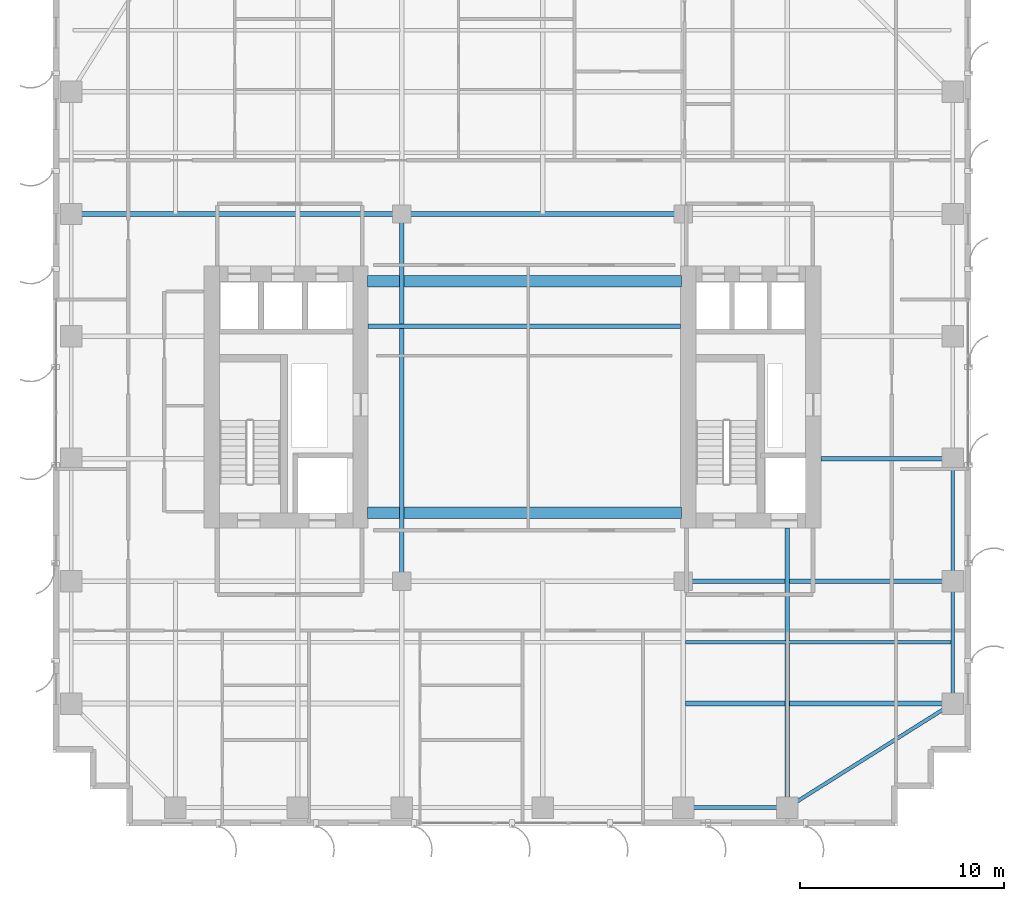
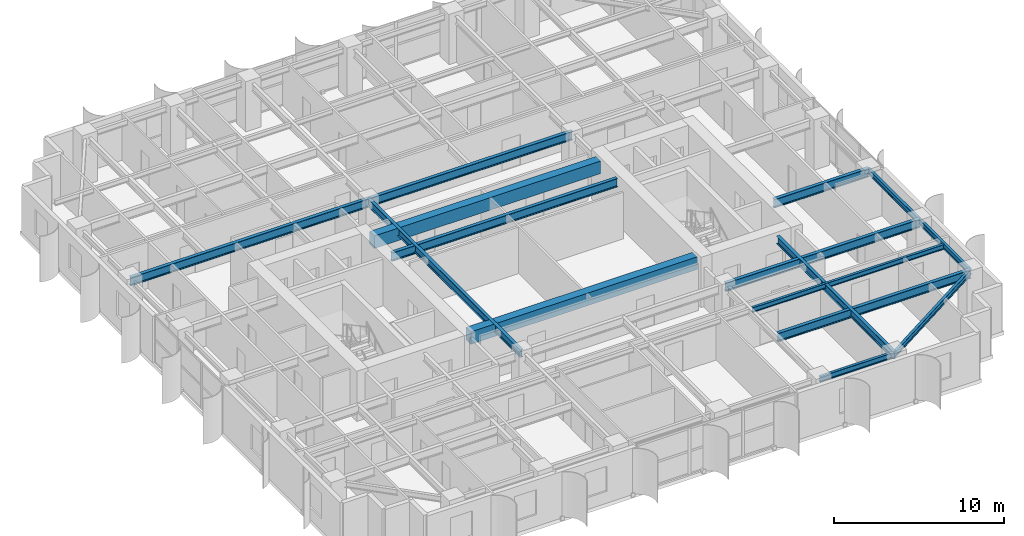
# One storey, part 6 of 21: 15 beams.
"""IFC4 building model written with IfcOpenShell, lengths in metres."""

import ifcopenshell
import ifcopenshell.guid

model = None  # the IFC model being written
_history = None  # IfcOwnerHistory: only IFC2X3 demands one
_inside = {}  # id of a spatial element -> (the spatial element, [elements in it])
_under = {}  # id of a project, library or spatial element -> (it, [spatial elements below it])
_declared = {}  # id of a project -> (the project, [libraries it declares])
_typed = {}  # id of a type object -> (the type object, [elements of that type])
_made_of = {}  # id of a material, layer set ... -> (it, [elements and type objects made of it])


def new_model(schema):
    """Start an empty IFC model of exactly this schema.

    Asked for "IFC4X3", IfcOpenShell would pick the latest addendum, in which some entities
    have other attributes; the version numbers below select the first issue.
    IFC2X3 requires an IfcOwnerHistory on every rooted entity: one is made here for all.
    """
    global model, _history
    if schema == "IFC4X3":
        model = ifcopenshell.file(schema_version=(4, 3, 0, 0))
    else:
        model = ifcopenshell.file(schema=schema)
    _inside.clear()
    _under.clear()
    _declared.clear()
    _typed.clear()
    _made_of.clear()
    _history = None
    if model.schema == "IFC2X3":
        org = make("IfcOrganization", Name="unknown")
        user = make(
            "IfcPersonAndOrganization",
            ThePerson=make("IfcPerson", FamilyName="unknown"),
            TheOrganization=org,
        )
        app = make(
            "IfcApplication",
            ApplicationDeveloper=org,
            Version="unknown",
            ApplicationFullName="unknown",
            ApplicationIdentifier="unknown",
        )
        _history = make(
            "IfcOwnerHistory",
            OwningUser=user,
            OwningApplication=app,
            ChangeAction="ADDED",
            CreationDate=0,
        )
    return model


def make(cls, **values):
    """One entity of the class cls with the attributes given. An attribute that is None is left unset."""
    return model.create_entity(
        cls, **{name: value for name, value in values.items() if value is not None}
    )


def rooted(cls, **values):
    """An entity with a GlobalId (a new one), such as an element, a storey or a relation."""
    return make(cls, GlobalId=ifcopenshell.guid.new(), OwnerHistory=_history, **values)


def si_unit(unit_type, name, prefix=None):
    """IfcSIUnit, for example si_unit("LENGTHUNIT", "METRE", prefix="MILLI")."""
    return make("IfcSIUnit", UnitType=unit_type, Prefix=prefix, Name=name)


def assignment(units):
    """IfcUnitAssignment: the units of a project."""
    return None if units is None else make("IfcUnitAssignment", Units=units)


def point(xyz):
    """IfcCartesianPoint."""
    return None if xyz is None else make("IfcCartesianPoint", Coordinates=xyz)


def direction(xyz):
    """IfcDirection."""
    return None if xyz is None else make("IfcDirection", DirectionRatios=xyz)


def frame(location, z_axis=None, x_axis=None):
    """IfcAxis2Placement3D, a coordinate frame: its origin and axes. An axis left out is left unset."""
    return make(
        "IfcAxis2Placement3D",
        Location=point(location),
        Axis=direction(z_axis),
        RefDirection=direction(x_axis),
    )


def frame_2d(location, x_axis=None):
    """IfcAxis2Placement2D, a coordinate frame in the plane: its origin and x axis."""
    return make(
        "IfcAxis2Placement2D", Location=point(location), RefDirection=direction(x_axis)
    )


def origin():
    """The frame at (0, 0, 0) with its axes left unset."""
    return frame((0.0, 0.0, 0.0))


def origin_2d():
    """The frame at (0, 0) in the plane with its x axis left unset."""
    return frame_2d((0.0, 0.0))


def place(relative_to, where):
    """IfcLocalPlacement: puts the frame where relative to a parent placement (None: the world)."""
    return make(
        "IfcLocalPlacement", PlacementRelTo=relative_to, RelativePlacement=where
    )


def context(
    kind, dimensions, precision=None, world=None, true_north=None, identifier=None
):
    """IfcGeometricRepresentationContext, for example the 3D "Model" context."""
    return make(
        "IfcGeometricRepresentationContext",
        ContextIdentifier=identifier,
        ContextType=kind,
        CoordinateSpaceDimension=dimensions,
        Precision=precision,
        WorldCoordinateSystem=world,
        TrueNorth=true_north,
    )


def subcontext(parent, identifier, kind, view, scale=None):
    """IfcGeometricRepresentationSubContext, for example "Body" below "Model"."""
    return make(
        "IfcGeometricRepresentationSubContext",
        ContextIdentifier=identifier,
        ContextType=kind,
        ParentContext=parent,
        TargetScale=scale,
        TargetView=view,
    )


def project(units=None, contexts=None):
    """IfcProject with its units and contexts."""
    return rooted(
        "IfcProject",
        Name="project",
        RepresentationContexts=contexts,
        UnitsInContext=assignment(units),
    )


def spatial(cls, under=None, at=None, **own):
    """A site, building, storey or space (cls), placed at a placement, below another one or the project."""
    s = rooted(cls, ObjectPlacement=at, **own)
    if under is not None:
        _under.setdefault(under.id(), (under, []))[1].append(s)
    return s


def profile(cls, at=None, kind="AREA", **sizes):
    """A parametric profile (cls). Its sizes go by their IFC names, for example OverallWidth=200.0."""
    return make(cls, ProfileType=kind, Position=at, **sizes)


def rectangle(**sizes):
    """IfcRectangleProfileDef."""
    return profile("IfcRectangleProfileDef", **sizes)


def i_section(**sizes):
    """IfcIShapeProfileDef."""
    return profile("IfcIShapeProfileDef", **sizes)


def extrude(swept, where, along, depth):
    """IfcExtrudedAreaSolid: the profile swept, set in the frame where, extruded along a direction by depth."""
    return make(
        "IfcExtrudedAreaSolid",
        SweptArea=swept,
        Position=where,
        ExtrudedDirection=direction(along),
        Depth=depth,
    )


def shape(context_of_items, identifier, shape_type, items):
    """IfcShapeRepresentation: the items that make up one representation, for example the "Body"."""
    return make(
        "IfcShapeRepresentation",
        ContextOfItems=context_of_items,
        RepresentationIdentifier=identifier,
        RepresentationType=shape_type,
        Items=items,
    )


def source(mapping_origin, context_of_items, identifier, shape_type, items):
    """IfcRepresentationMap: a shape defined once, which mapped items show again and again."""
    return make(
        "IfcRepresentationMap",
        MappingOrigin=mapping_origin,
        MappedRepresentation=shape(context_of_items, identifier, shape_type, items),
    )


def transform(
    local_origin,
    x_axis=None,
    y_axis=None,
    z_axis=None,
    scale=None,
    scale2=None,
    scale3=None,
    uniform=True,
):
    """IfcCartesianTransformationOperator3D, or its non-uniform kind. x_axis, y_axis, z_axis: its Axis1, 2, 3."""
    if uniform:
        return make(
            "IfcCartesianTransformationOperator3D",
            Axis1=direction(x_axis),
            Axis2=direction(y_axis),
            LocalOrigin=point(local_origin),
            Scale=scale,
            Axis3=direction(z_axis),
        )
    return make(
        "IfcCartesianTransformationOperator3DnonUniform",
        Axis1=direction(x_axis),
        Axis2=direction(y_axis),
        LocalOrigin=point(local_origin),
        Scale=scale,
        Axis3=direction(z_axis),
        Scale2=scale2,
        Scale3=scale3,
    )


def mapped(mapping_source, mapping_target):
    """IfcMappedItem: shows the shape of a source again, moved by a transform."""
    return make(
        "IfcMappedItem", MappingSource=mapping_source, MappingTarget=mapping_target
    )


def material(Name=None, Category=None):
    """IfcMaterial."""
    return make("IfcMaterial", Name=Name, Category=Category)


def material_profile(
    of_material, cross_section, Name=None, Category=None, Priority=None
):
    """IfcMaterialProfile: a cross section and its material."""
    return make(
        "IfcMaterialProfile",
        Name=Name,
        Material=of_material,
        Profile=cross_section,
        Priority=Priority,
        Category=Category,
    )


def profile_set(profiles, Name=None, composite=None):
    """IfcMaterialProfileSet."""
    return make(
        "IfcMaterialProfileSet",
        Name=Name,
        MaterialProfiles=profiles,
        CompositeProfile=composite,
    )


def made_of(thing, what):
    """Note that an element or type object is made of a material, layer set ...; save() writes the relation."""
    if what is not None:
        _made_of.setdefault(what.id(), (what, []))[1].append(thing)
    return thing


def type_object(cls, material=None, **own):
    """A type object (cls), such as IfcWallType, which elements share."""
    return made_of(rooted(cls, **own), material)


def element(
    cls,
    number,
    at=None,
    inside=None,
    cuts=None,
    type_object=None,
    material=None,
    context=None,
    identifier="Body",
    shape_type=None,
    held_by="IfcProductDefinitionShape",
    body=None,
    shapes=None,
    **own,
):
    """One element of the class cls, such as IfcWall. Its Tag is "e" and its number.

    at: its placement. inside: the storey or other place that contains it. cuts: it is an
    opening in that element (IfcRelVoidsElement). A single representation is given by context,
    identifier, shape_type and body (its items); several are given by shapes. held_by: the class
    of the entity that holds the representations. save() writes the other relations.
    """
    e = rooted(cls, Tag="e%d" % number, ObjectPlacement=at, **own)
    if body is not None:
        shapes = [shape(context, identifier, shape_type, body)]
    if shapes is not None:
        e.Representation = make(held_by, Representations=shapes)
    if inside is not None:
        _inside.setdefault(inside.id(), (inside, []))[1].append(e)
    if cuts is not None:
        rooted(
            "IfcRelVoidsElement", RelatingBuildingElement=cuts, RelatedOpeningElement=e
        )
    if type_object is not None:
        _typed.setdefault(type_object.id(), (type_object, []))[1].append(e)
    return made_of(e, material)


def aggregate(whole, parts):
    """IfcRelAggregates: a whole, such as a stair, and the parts it consists of."""
    return rooted("IfcRelAggregates", RelatingObject=whole, RelatedObjects=parts)


def save(model, path):
    """Write the relations noted so far, then the file.

    IfcRelAggregates (storeys below a building ...), IfcRelContainedInSpatialStructure (elements
    in a storey), IfcRelDefinesByType, IfcRelAssociatesMaterial and IfcRelDeclares: one each for
    every whole, place, type object, material and project.
    """
    for whole, parts in _under.values():
        aggregate(whole, parts)
    for where, things in _inside.values():
        rooted(
            "IfcRelContainedInSpatialStructure",
            RelatedElements=things,
            RelatingStructure=where,
        )
    for kind, things in _typed.values():
        rooted("IfcRelDefinesByType", RelatedObjects=things, RelatingType=kind)
    for what, things in _made_of.values():
        rooted("IfcRelAssociatesMaterial", RelatedObjects=things, RelatingMaterial=what)
    for by, libraries in _declared.values():
        rooted("IfcRelDeclares", RelatingContext=by, RelatedDefinitions=libraries)
    model.write(path)


model = new_model("IFC4")

# Units and contexts
model_context = context("Model", 3, precision=1e-05, world=origin(), true_north=direction((0.0, 1.0)))
body_context = subcontext(model_context, "Body", "Model", "MODEL_VIEW")
ifc_project = project(units=[si_unit("LENGTHUNIT", "METRE"), si_unit("AREAUNIT", "SQUARE_METRE"), si_unit("VOLUMEUNIT", "CUBIC_METRE"), si_unit("PLANEANGLEUNIT", "RADIAN"), si_unit("MASSUNIT", "GRAM", prefix="KILO")], contexts=[model_context])

# Site, building, storey
site_placement = place(None, origin())
site = spatial("IfcSite", under=ifc_project, at=site_placement, CompositionType="ELEMENT")
building_placement = place(site_placement, origin())
building = spatial("IfcBuilding", under=site, at=building_placement, Name="Khoralis Quay Care Tower", CompositionType="ELEMENT")
storey_placement = place(building_placement, frame((0.0, 0.0, 112.5)))
storey = spatial("IfcBuildingStorey", under=building, at=storey_placement, Name="L29", CompositionType="ELEMENT", Elevation=112.5)

# Beams
ifc_material_1 = material(Name="Concrete C65/80", Category="concrete")
ifc_material_profile_1 = material_profile(ifc_material_1, rectangle(XDim=0.550048828125, YDim=0.89990234375, at=origin_2d()), Name="Concrete C65/80")
ifc_profile_set_1 = profile_set([ifc_material_profile_1], Name="Concrete C65/80")
beam_type_1 = type_object("IfcBeamType", Name="CB-RC550X900", PredefinedType="LINTEL", material=ifc_profile_set_1)
shared_shape_1 = source(origin(), body_context, "Body", "SweptSolid", [
    extrude(rectangle(XDim=0.550048828125, YDim=0.89990234375, at=origin_2d()), origin(), (0.0, 0.0, 1.0), 15.380126953125),
])
for number, where, z_axis, x_axis, name in (
    (1, (15.419921875, 15.35009765625, 2.889892578125), (1.0, 0.0, 0.0), (0.0, 1.0, 0.0), "L29 South Core Coupling Lintel"),
    (2, (15.419921875, 26.699951171875, 2.889892578125), (1.0, 0.0, 0.0), (0.0, 1.0, 0.0), "L29 North Core Coupling Lintel"),
):
    element("IfcBeam", number, at=place(storey_placement, frame(where, z_axis=z_axis, x_axis=x_axis)), inside=storey, type_object=beam_type_1, Name=name, PredefinedType="LINTEL", context=body_context, shape_type="MappedRepresentation", body=[
        mapped(shared_shape_1, transform((0.0, 0.0, 0.0), scale=1.0)),
    ])
ifc_material_2 = material(Name="Steel S355", Category="steel")
ifc_material_profile_2 = material_profile(ifc_material_2, i_section(OverallWidth=0.179931640625, OverallDepth=0.39990234375, WebThickness=0.008544921875, FlangeThickness=0.013427734375, FilletRadius=0.02099609375, at=origin_2d()), Name="Steel S355")
ifc_profile_set_2 = profile_set([ifc_material_profile_2], Name="Steel S355")
beam_type_2 = type_object("IfcBeamType", Name="BM-IPE400", PredefinedType="SPANDREL", material=ifc_profile_set_2)
shared_shape_2 = source(origin(), body_context, "Body", "SweptSolid", [
    extrude(i_section(OverallWidth=0.179931640625, OverallDepth=0.39990234375, WebThickness=0.008544921875, FlangeThickness=0.013427734375, FilletRadius=0.02099609375, at=origin_2d()), origin(), (0.0, 0.0, 1.0), 6.0),
])
for number, where, z_axis, x_axis, name in (
    (3, (44.10009765625, 6.0, 3.139892578125), (0.0, 1.0, 0.0), (-1.0, 0.0, 0.0), "BM-TSP-L29-16"),
    (4, (44.10009765625, 12.0, 3.139892578125), (0.0, 1.0, 0.0), (-1.0, 0.0, 0.0), "BM-TSP-L29-17"),
):
    element("IfcBeam", number, at=place(storey_placement, frame(where, z_axis=z_axis, x_axis=x_axis)), inside=storey, type_object=beam_type_2, Name=name, PredefinedType="SPANDREL", context=body_context, shape_type="MappedRepresentation", body=[
        mapped(shared_shape_2, transform((0.0, 0.0, 0.0), scale=1.0)),
    ])
shared_shape_3 = source(origin(), body_context, "Body", "SweptSolid", [
    extrude(i_section(OverallWidth=0.179931640625, OverallDepth=0.39990234375, WebThickness=0.008544921875, FlangeThickness=0.013427734375, FilletRadius=0.02099609375, at=origin_2d()), origin(), (0.0, 0.0, 1.0), 5.10009765625),
])
beam_1_placement = place(storey_placement, frame((30.89990234375, 0.89990234375, 3.139892578125), z_axis=(1.0, 0.0, 0.0), x_axis=(0.0, 1.0, 0.0)))
element("IfcBeam", 5, at=beam_1_placement, inside=storey, type_object=beam_type_2, Name="BM-TSP-L29-05", PredefinedType="SPANDREL", context=body_context, shape_type="MappedRepresentation", body=[
    mapped(shared_shape_3, transform((0.0, 0.0, 0.0), scale=1.0)),
])
shared_shape_4 = source(origin(), body_context, "Body", "SweptSolid", [
    extrude(i_section(OverallWidth=0.179931640625, OverallDepth=0.39990234375, WebThickness=0.008544921875, FlangeThickness=0.013427734375, FilletRadius=0.02099609375, at=origin_2d()), origin(), (0.0, 0.0, 1.0), 9.572021484375),
])
beam_2_placement = place(storey_placement, frame((36.0, 0.89990234375, 3.139892578125), z_axis=(0.846231136359, 0.532815975602, 0.0), x_axis=(-0.532815975602, 0.846231136359, 0.0)))
element("IfcBeam", 6, at=beam_2_placement, inside=storey, type_object=beam_type_2, Name="BM-TCR-L29-22", PredefinedType="SPANDREL", context=body_context, shape_type="MappedRepresentation", body=[
    mapped(shared_shape_4, transform((0.0, 0.0, 0.0), scale=1.0)),
])
ifc_material_profile_3 = material_profile(ifc_material_2, i_section(OverallWidth=0.22998046875, OverallDepth=0.616943359375, WebThickness=0.01318359375, FlangeThickness=0.022216796875, FilletRadius=0.01806640625, at=origin_2d()), Name="Steel S355")
ifc_profile_set_3 = profile_set([ifc_material_profile_3], Name="Steel S355")
beam_type_3 = type_object("IfcBeamType", Name="BM-W610X140", PredefinedType="BEAM", material=ifc_profile_set_3)
shared_shape_5 = source(origin(), body_context, "Body", "SweptSolid", [
    extrude(i_section(OverallWidth=0.22998046875, OverallDepth=0.616943359375, WebThickness=0.01318359375, FlangeThickness=0.022216796875, FilletRadius=0.01806640625, at=origin_2d()), origin(), (0.0, 0.0, 1.0), 16.2001953125),
])
beam_3_placement = place(storey_placement, frame((0.89990234375, 30.0, 3.031494140625), z_axis=(1.0, 0.0, 0.0), x_axis=(0.0, 1.0, 0.0)))
element("IfcBeam", 7, at=beam_3_placement, inside=storey, type_object=beam_type_3, Name="BM-TGXW-L29-300", PredefinedType="BEAM", context=body_context, shape_type="MappedRepresentation", body=[
    mapped(shared_shape_5, transform((0.0, 0.0, 0.0), scale=1.0)),
])
shared_shape_6 = source(origin(), body_context, "Body", "SweptSolid", [
    extrude(i_section(OverallWidth=0.22998046875, OverallDepth=0.616943359375, WebThickness=0.01318359375, FlangeThickness=0.022216796875, FilletRadius=0.01806640625, at=origin_2d()), origin(), (0.0, 0.0, 1.0), 13.106201171875),
])
beam_4_placement = place(storey_placement, frame((30.993896484375, 6.0, 3.031494140625), z_axis=(1.0, 0.0, 0.0), x_axis=(0.0, 1.0, 0.0)))
element("IfcBeam", 8, at=beam_4_placement, inside=storey, type_object=beam_type_3, Name="BM-TGXE-L29-60", PredefinedType="BEAM", context=body_context, shape_type="MappedRepresentation", body=[
    mapped(shared_shape_6, transform((0.0, 0.0, 0.0), scale=1.0)),
])
shared_shape_7 = source(origin(), body_context, "Body", "SweptSolid", [
    extrude(i_section(OverallWidth=0.22998046875, OverallDepth=0.616943359375, WebThickness=0.01318359375, FlangeThickness=0.022216796875, FilletRadius=0.01806640625, at=origin_2d()), origin(), (0.0, 0.0, 1.0), 13.2001953125),
])
beam_5_placement = place(storey_placement, frame((30.89990234375, 12.0, 3.031494140625), z_axis=(1.0, 0.0, 0.0), x_axis=(0.0, 1.0, 0.0)))
element("IfcBeam", 9, at=beam_5_placement, inside=storey, type_object=beam_type_3, Name="BM-TGXE-L29-120", PredefinedType="BEAM", context=body_context, shape_type="MappedRepresentation", body=[
    mapped(shared_shape_7, transform((0.0, 0.0, 0.0), scale=1.0)),
])
shared_shape_8 = source(origin(), body_context, "Body", "SweptSolid", [
    extrude(i_section(OverallWidth=0.22998046875, OverallDepth=0.616943359375, WebThickness=0.01318359375, FlangeThickness=0.022216796875, FilletRadius=0.01806640625, at=origin_2d()), origin(), (0.0, 0.0, 1.0), 6.4521484375),
])
beam_6_placement = place(storey_placement, frame((37.64794921875, 18.0, 3.031494140625), z_axis=(1.0, 0.0, 0.0), x_axis=(0.0, 1.0, 0.0)))
element("IfcBeam", 10, at=beam_6_placement, inside=storey, type_object=beam_type_3, Name="BM-TGXE-L29-180", PredefinedType="BEAM", context=body_context, shape_type="MappedRepresentation", body=[
    mapped(shared_shape_8, transform((0.0, 0.0, 0.0), scale=1.0)),
])
shared_shape_9 = source(origin(), body_context, "Body", "SweptSolid", [
    extrude(i_section(OverallWidth=0.22998046875, OverallDepth=0.616943359375, WebThickness=0.01318359375, FlangeThickness=0.022216796875, FilletRadius=0.01806640625, at=origin_2d()), origin(), (0.0, 0.0, 1.0), 13.7998046875),
])
beam_7_placement = place(storey_placement, frame((17.10009765625, 30.0, 3.031494140625), z_axis=(1.0, 0.0, 0.0), x_axis=(0.0, 1.0, 0.0)))
element("IfcBeam", 11, at=beam_7_placement, inside=storey, type_object=beam_type_3, Name="BM-TGCC-L29-300", PredefinedType="BEAM", context=body_context, shape_type="MappedRepresentation", body=[
    mapped(shared_shape_9, transform((0.0, 0.0, 0.0), scale=1.0)),
])
shared_shape_10 = source(origin(), body_context, "Body", "SweptSolid", [
    extrude(i_section(OverallWidth=0.22998046875, OverallDepth=0.616943359375, WebThickness=0.01318359375, FlangeThickness=0.022216796875, FilletRadius=0.01806640625, at=origin_2d()), origin(), (0.0, 0.0, 1.0), 15.323974609375),
])
beam_8_placement = place(storey_placement, frame((15.447998046875, 24.5, 3.031494140625), z_axis=(1.0, 0.0, 0.0), x_axis=(0.0, 1.0, 0.0)))
element("IfcBeam", 12, at=beam_8_placement, inside=storey, type_object=beam_type_3, Name="BM-TGCC-L29-245", PredefinedType="BEAM", context=body_context, shape_type="MappedRepresentation", body=[
    mapped(shared_shape_10, transform((0.0, 0.0, 0.0), scale=1.0)),
])
ifc_material_profile_4 = material_profile(ifc_material_2, i_section(OverallWidth=0.2119140625, OverallDepth=0.5439453125, WebThickness=0.01318359375, FlangeThickness=0.021240234375, FilletRadius=0.01611328125, at=origin_2d()), Name="Steel S355")
ifc_profile_set_4 = profile_set([ifc_material_profile_4], Name="Steel S355")
beam_type_4 = type_object("IfcBeamType", Name="BM-W530X123", PredefinedType="BEAM", material=ifc_profile_set_4)
shared_shape_11 = source(origin(), body_context, "Body", "SweptSolid", [
    extrude(i_section(OverallWidth=0.2119140625, OverallDepth=0.5439453125, WebThickness=0.01318359375, FlangeThickness=0.021240234375, FilletRadius=0.01611328125, at=origin_2d()), origin(), (0.0, 0.0, 1.0), 13.7021484375),
])
beam_9_placement = place(storey_placement, frame((36.0, 0.89990234375, 3.068115234375), z_axis=(0.0, 1.0, 0.0), x_axis=(-1.0, 0.0, 0.0)))
element("IfcBeam", 13, at=beam_9_placement, inside=storey, type_object=beam_type_4, Name="BM-TGYS-L29-360", PredefinedType="BEAM", context=body_context, shape_type="MappedRepresentation", body=[
    mapped(shared_shape_11, transform((0.0, 0.0, 0.0), scale=1.0)),
])
shared_shape_12 = source(origin(), body_context, "Body", "SweptSolid", [
    extrude(i_section(OverallWidth=0.2119140625, OverallDepth=0.5439453125, WebThickness=0.01318359375, FlangeThickness=0.021240234375, FilletRadius=0.01611328125, at=origin_2d()), origin(), (0.0, 0.0, 1.0), 18.0),
])
beam_10_placement = place(storey_placement, frame((17.10009765625, 12.0, 3.068115234375), z_axis=(0.0, 1.0, 0.0), x_axis=(-1.0, 0.0, 0.0)))
element("IfcBeam", 14, at=beam_10_placement, inside=storey, type_object=beam_type_4, Name="BM-TGSW-L29", PredefinedType="BEAM", context=body_context, shape_type="MappedRepresentation", body=[
    mapped(shared_shape_12, transform((0.0, 0.0, 0.0), scale=1.0)),
])
ifc_material_profile_5 = material_profile(ifc_material_2, i_section(OverallWidth=0.1708984375, OverallDepth=0.35498046875, WebThickness=0.007080078125, FlangeThickness=0.01171875, FilletRadius=0.012939453125, at=origin_2d()), Name="Steel S355")
ifc_profile_set_5 = profile_set([ifc_material_profile_5], Name="Steel S355")
beam_type_5 = type_object("IfcBeamType", Name="BM-W360X51", PredefinedType="JOIST", material=ifc_profile_set_5)
shared_shape_13 = source(origin(), body_context, "Body", "SweptSolid", [
    extrude(i_section(OverallWidth=0.1708984375, OverallDepth=0.35498046875, WebThickness=0.007080078125, FlangeThickness=0.01171875, FilletRadius=0.012939453125, at=origin_2d()), origin(), (0.0, 0.0, 1.0), 13.030029296875),
])
beam_11_placement = place(storey_placement, frame((30.993896484375, 9.0, 3.16259765625), z_axis=(1.0, 0.0, 0.0), x_axis=(0.0, 1.0, 0.0)))
element("IfcBeam", 15, at=beam_11_placement, inside=storey, type_object=beam_type_5, Name="BM-TJS-L29-26", PredefinedType="JOIST", context=body_context, shape_type="MappedRepresentation", body=[
    mapped(shared_shape_13, transform((0.0, 0.0, 0.0), scale=1.0)),
])

save(model, "model.ifc")
